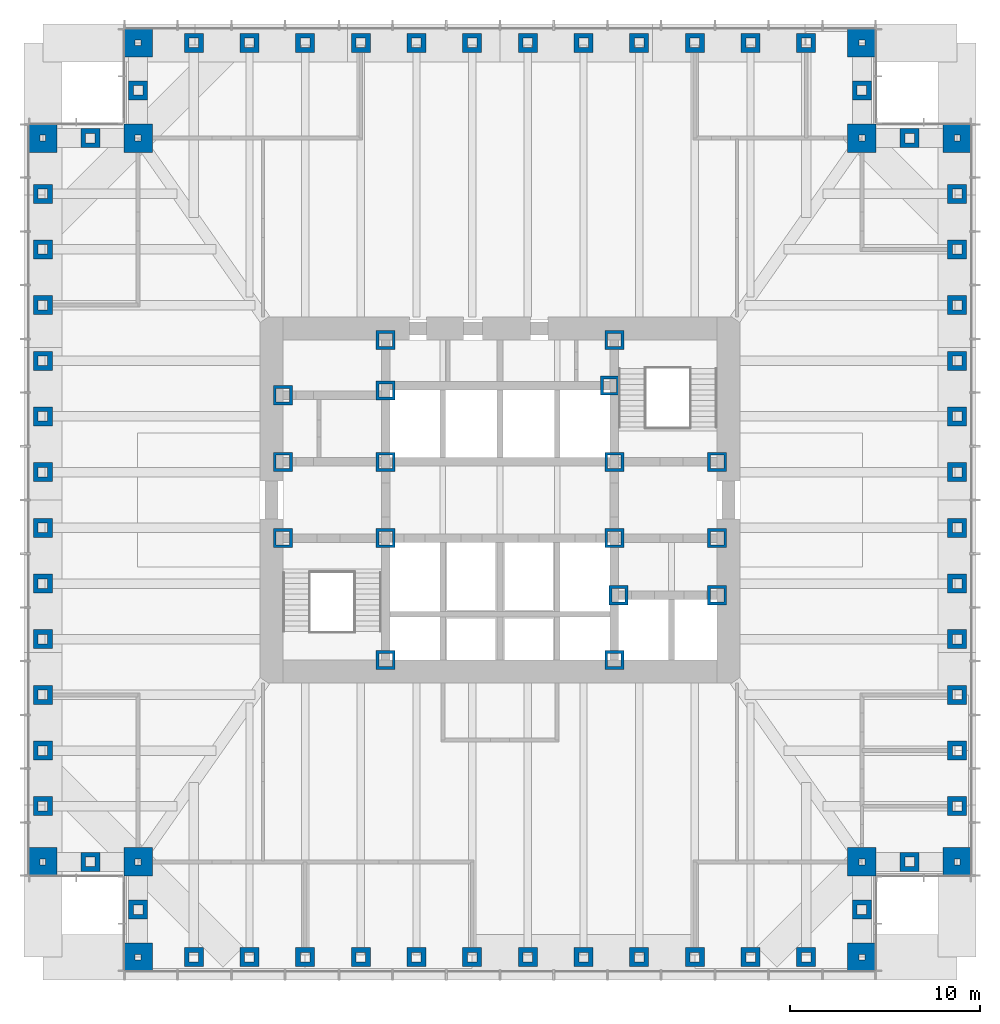
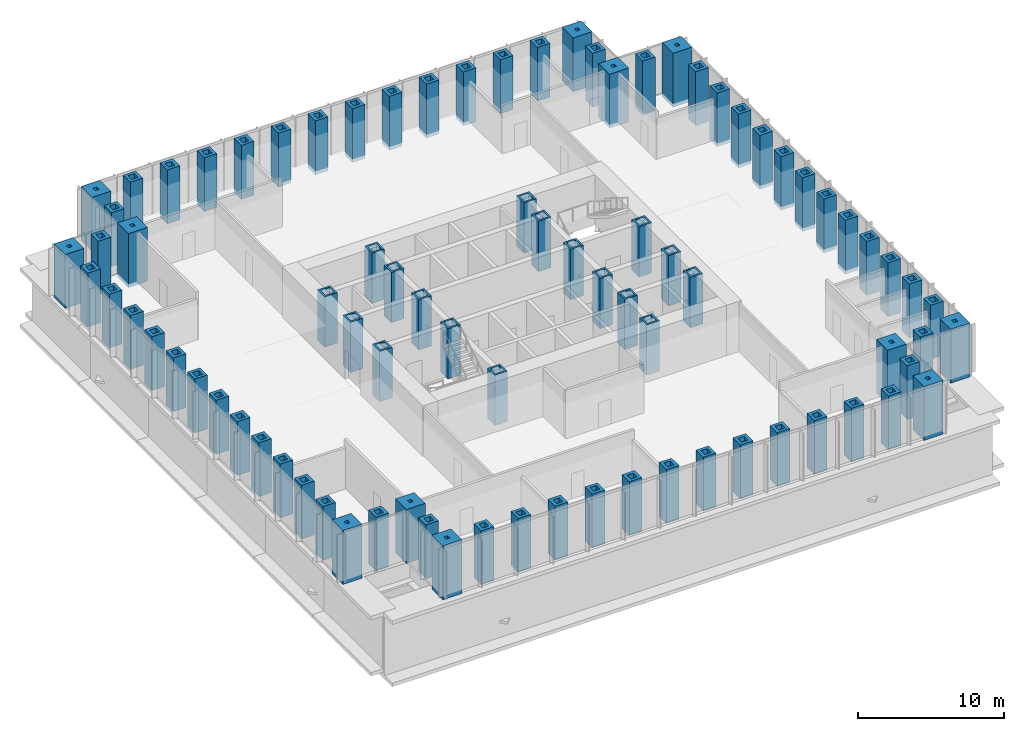
# One storey, part 1 of 16: 85 columns.
"""IFC4 building model written with IfcOpenShell, lengths in metres."""

import ifcopenshell
import ifcopenshell.guid

model = None  # the IFC model being written
_history = None  # IfcOwnerHistory: only IFC2X3 demands one
_inside = {}  # id of a spatial element -> (the spatial element, [elements in it])
_under = {}  # id of a project, library or spatial element -> (it, [spatial elements below it])
_declared = {}  # id of a project -> (the project, [libraries it declares])
_typed = {}  # id of a type object -> (the type object, [elements of that type])
_made_of = {}  # id of a material, layer set ... -> (it, [elements and type objects made of it])


def new_model(schema):
    """Start an empty IFC model of exactly this schema.

    Asked for "IFC4X3", IfcOpenShell would pick the latest addendum, in which some entities
    have other attributes; the version numbers below select the first issue.
    IFC2X3 requires an IfcOwnerHistory on every rooted entity: one is made here for all.
    """
    global model, _history
    if schema == "IFC4X3":
        model = ifcopenshell.file(schema_version=(4, 3, 0, 0))
    else:
        model = ifcopenshell.file(schema=schema)
    _inside.clear()
    _under.clear()
    _declared.clear()
    _typed.clear()
    _made_of.clear()
    _history = None
    if model.schema == "IFC2X3":
        org = make("IfcOrganization", Name="unknown")
        user = make(
            "IfcPersonAndOrganization",
            ThePerson=make("IfcPerson", FamilyName="unknown"),
            TheOrganization=org,
        )
        app = make(
            "IfcApplication",
            ApplicationDeveloper=org,
            Version="unknown",
            ApplicationFullName="unknown",
            ApplicationIdentifier="unknown",
        )
        _history = make(
            "IfcOwnerHistory",
            OwningUser=user,
            OwningApplication=app,
            ChangeAction="ADDED",
            CreationDate=0,
        )
    return model


def make(cls, **values):
    """One entity of the class cls with the attributes given. An attribute that is None is left unset."""
    return model.create_entity(
        cls, **{name: value for name, value in values.items() if value is not None}
    )


def rooted(cls, **values):
    """An entity with a GlobalId (a new one), such as an element, a storey or a relation."""
    return make(cls, GlobalId=ifcopenshell.guid.new(), OwnerHistory=_history, **values)


def si_unit(unit_type, name, prefix=None):
    """IfcSIUnit, for example si_unit("LENGTHUNIT", "METRE", prefix="MILLI")."""
    return make("IfcSIUnit", UnitType=unit_type, Prefix=prefix, Name=name)


def assignment(units):
    """IfcUnitAssignment: the units of a project."""
    return None if units is None else make("IfcUnitAssignment", Units=units)


def point(xyz):
    """IfcCartesianPoint."""
    return None if xyz is None else make("IfcCartesianPoint", Coordinates=xyz)


def direction(xyz):
    """IfcDirection."""
    return None if xyz is None else make("IfcDirection", DirectionRatios=xyz)


def frame(location, z_axis=None, x_axis=None):
    """IfcAxis2Placement3D, a coordinate frame: its origin and axes. An axis left out is left unset."""
    return make(
        "IfcAxis2Placement3D",
        Location=point(location),
        Axis=direction(z_axis),
        RefDirection=direction(x_axis),
    )


def frame_2d(location, x_axis=None):
    """IfcAxis2Placement2D, a coordinate frame in the plane: its origin and x axis."""
    return make(
        "IfcAxis2Placement2D", Location=point(location), RefDirection=direction(x_axis)
    )


def origin():
    """The frame at (0, 0, 0) with its axes left unset."""
    return frame((0.0, 0.0, 0.0))


def origin_2d():
    """The frame at (0, 0) in the plane with its x axis left unset."""
    return frame_2d((0.0, 0.0))


def place(relative_to, where):
    """IfcLocalPlacement: puts the frame where relative to a parent placement (None: the world)."""
    return make(
        "IfcLocalPlacement", PlacementRelTo=relative_to, RelativePlacement=where
    )


def context(
    kind, dimensions, precision=None, world=None, true_north=None, identifier=None
):
    """IfcGeometricRepresentationContext, for example the 3D "Model" context."""
    return make(
        "IfcGeometricRepresentationContext",
        ContextIdentifier=identifier,
        ContextType=kind,
        CoordinateSpaceDimension=dimensions,
        Precision=precision,
        WorldCoordinateSystem=world,
        TrueNorth=true_north,
    )


def subcontext(parent, identifier, kind, view, scale=None):
    """IfcGeometricRepresentationSubContext, for example "Body" below "Model"."""
    return make(
        "IfcGeometricRepresentationSubContext",
        ContextIdentifier=identifier,
        ContextType=kind,
        ParentContext=parent,
        TargetScale=scale,
        TargetView=view,
    )


def project(units=None, contexts=None):
    """IfcProject with its units and contexts."""
    return rooted(
        "IfcProject",
        Name="project",
        RepresentationContexts=contexts,
        UnitsInContext=assignment(units),
    )


def spatial(cls, under=None, at=None, **own):
    """A site, building, storey or space (cls), placed at a placement, below another one or the project."""
    s = rooted(cls, ObjectPlacement=at, **own)
    if under is not None:
        _under.setdefault(under.id(), (under, []))[1].append(s)
    return s


def profile(cls, at=None, kind="AREA", **sizes):
    """A parametric profile (cls). Its sizes go by their IFC names, for example OverallWidth=200.0."""
    return make(cls, ProfileType=kind, Position=at, **sizes)


def hollow_rectangle(**sizes):
    """IfcRectangleHollowProfileDef."""
    return profile("IfcRectangleHollowProfileDef", **sizes)


def extrude(swept, where, along, depth):
    """IfcExtrudedAreaSolid: the profile swept, set in the frame where, extruded along a direction by depth."""
    return make(
        "IfcExtrudedAreaSolid",
        SweptArea=swept,
        Position=where,
        ExtrudedDirection=direction(along),
        Depth=depth,
    )


def shape(context_of_items, identifier, shape_type, items):
    """IfcShapeRepresentation: the items that make up one representation, for example the "Body"."""
    return make(
        "IfcShapeRepresentation",
        ContextOfItems=context_of_items,
        RepresentationIdentifier=identifier,
        RepresentationType=shape_type,
        Items=items,
    )


def material(Name=None, Category=None):
    """IfcMaterial."""
    return make("IfcMaterial", Name=Name, Category=Category)


def material_profile(
    of_material, cross_section, Name=None, Category=None, Priority=None
):
    """IfcMaterialProfile: a cross section and its material."""
    return make(
        "IfcMaterialProfile",
        Name=Name,
        Material=of_material,
        Profile=cross_section,
        Priority=Priority,
        Category=Category,
    )


def profile_set(profiles, Name=None, composite=None):
    """IfcMaterialProfileSet."""
    return make(
        "IfcMaterialProfileSet",
        Name=Name,
        MaterialProfiles=profiles,
        CompositeProfile=composite,
    )


def made_of(thing, what):
    """Note that an element or type object is made of a material, layer set ...; save() writes the relation."""
    if what is not None:
        _made_of.setdefault(what.id(), (what, []))[1].append(thing)
    return thing


def type_object(cls, material=None, **own):
    """A type object (cls), such as IfcWallType, which elements share."""
    return made_of(rooted(cls, **own), material)


def element(
    cls,
    number,
    at=None,
    inside=None,
    cuts=None,
    type_object=None,
    material=None,
    context=None,
    identifier="Body",
    shape_type=None,
    held_by="IfcProductDefinitionShape",
    body=None,
    shapes=None,
    **own,
):
    """One element of the class cls, such as IfcWall. Its Tag is "e" and its number.

    at: its placement. inside: the storey or other place that contains it. cuts: it is an
    opening in that element (IfcRelVoidsElement). A single representation is given by context,
    identifier, shape_type and body (its items); several are given by shapes. held_by: the class
    of the entity that holds the representations. save() writes the other relations.
    """
    e = rooted(cls, Tag="e%d" % number, ObjectPlacement=at, **own)
    if body is not None:
        shapes = [shape(context, identifier, shape_type, body)]
    if shapes is not None:
        e.Representation = make(held_by, Representations=shapes)
    if inside is not None:
        _inside.setdefault(inside.id(), (inside, []))[1].append(e)
    if cuts is not None:
        rooted(
            "IfcRelVoidsElement", RelatingBuildingElement=cuts, RelatedOpeningElement=e
        )
    if type_object is not None:
        _typed.setdefault(type_object.id(), (type_object, []))[1].append(e)
    return made_of(e, material)


def aggregate(whole, parts):
    """IfcRelAggregates: a whole, such as a stair, and the parts it consists of."""
    return rooted("IfcRelAggregates", RelatingObject=whole, RelatedObjects=parts)


def save(model, path):
    """Write the relations noted so far, then the file.

    IfcRelAggregates (storeys below a building ...), IfcRelContainedInSpatialStructure (elements
    in a storey), IfcRelDefinesByType, IfcRelAssociatesMaterial and IfcRelDeclares: one each for
    every whole, place, type object, material and project.
    """
    for whole, parts in _under.values():
        aggregate(whole, parts)
    for where, things in _inside.values():
        rooted(
            "IfcRelContainedInSpatialStructure",
            RelatedElements=things,
            RelatingStructure=where,
        )
    for kind, things in _typed.values():
        rooted("IfcRelDefinesByType", RelatedObjects=things, RelatingType=kind)
    for what, things in _made_of.values():
        rooted("IfcRelAssociatesMaterial", RelatedObjects=things, RelatingMaterial=what)
    for by, libraries in _declared.values():
        rooted("IfcRelDeclares", RelatingContext=by, RelatedDefinitions=libraries)
    model.write(path)


model = new_model("IFC4")

# Units and contexts
model_context = context("Model", 3, precision=1e-05, world=origin(), true_north=direction((0.0, 1.0)))
body_context = subcontext(model_context, "Body", "Model", "MODEL_VIEW")
ifc_project = project(units=[si_unit("LENGTHUNIT", "METRE"), si_unit("AREAUNIT", "SQUARE_METRE"), si_unit("VOLUMEUNIT", "CUBIC_METRE"), si_unit("PLANEANGLEUNIT", "RADIAN"), si_unit("MASSUNIT", "GRAM", prefix="KILO")], contexts=[model_context])

# Site, building, storey
site_placement = place(None, origin())
site = spatial("IfcSite", under=ifc_project, at=site_placement, CompositionType="ELEMENT")
building_placement = place(site_placement, origin())
building = spatial("IfcBuilding", under=site, at=building_placement, Name="Daluyong Arena Tower", CompositionType="ELEMENT")
storey_placement = place(building_placement, frame((0.0, 0.0, 34.89990234375)))
storey = spatial("IfcBuildingStorey", under=building, at=storey_placement, Name="L06", CompositionType="ELEMENT", Elevation=34.89990234375)

# Columns
ifc_material_1 = material(Name="Steel ASTM A588 Grade 50", Category="steel")
ifc_material_profile_1 = material_profile(ifc_material_1, hollow_rectangle(XDim=1.0, YDim=1.0, WallThickness=0.15, at=origin_2d()))
ifc_profile_set_1 = profile_set([ifc_material_profile_1], Name="Steel ASTM A588 Grade 50")
column_type_1 = type_object("IfcColumnType", Name="Core boundary column BX1000X150", PredefinedType="COLUMN", material=ifc_profile_set_1)
for number, where, z_axis, x_axis, name in (
    (1, (44.60009765625, 78.0, 0.0), (0.0, 0.0, 1.0), (1.0, 0.0, 0.0), "core boundary column BC1"),
    (2, (44.60009765625, 82.0, 0.0), (0.0, 0.0, 1.0), (1.0, 0.0, 0.0), "core boundary column BC1"),
    (3, (44.60009765625, 85.5, 0.0), (0.0, 0.0, 1.0), (1.0, 0.0, 0.0), "core boundary column BC1"),
    (4, (50.0, 71.60009765625, 0.0), (0.0, 0.0, 1.0), (1.0, 0.0, 0.0), "core boundary column BC1"),
    (5, (50.0, 78.0, 0.0), (0.0, 0.0, 1.0), (1.0, 0.0, 0.0), "core boundary column BC1"),
    (6, (50.0, 82.0, 0.0), (0.0, 0.0, 1.0), (1.0, 0.0, 0.0), "core boundary column BC1"),
    (7, (50.0, 85.75, 0.0), (0.0, 0.0, 1.0), (1.0, 0.0, 0.0), "core boundary column BC1"),
    (8, (50.0, 88.39990234375, 0.0), (0.0, 0.0, 1.0), (1.0, 0.0, 0.0), "core boundary column BC1"),
    (9, (61.77490234375, 86.0, 0.0), (0.0, 0.0, 1.0), (1.0, 0.0, 0.0), "core boundary column BC1"),
    (10, (62.0, 71.60009765625, 0.0), (0.0, 0.0, 1.0), (1.0, 0.0, 0.0), "core boundary column BC1"),
    (11, (62.0, 78.0, 0.0), (0.0, 0.0, 1.0), (1.0, 0.0, 0.0), "core boundary column BC1"),
    (12, (62.0, 82.0, 0.0), (0.0, 0.0, 1.0), (1.0, 0.0, 0.0), "core boundary column BC1"),
    (13, (62.0, 88.39990234375, 0.0), (0.0, 0.0, 1.0), (1.0, 0.0, 0.0), "core boundary column BC1"),
    (14, (62.22509765625, 75.0, 0.0), (0.0, 0.0, 1.0), (1.0, 0.0, 0.0), "core boundary column BC1"),
    (15, (67.39990234375, 75.0, 0.0), (0.0, 0.0, 1.0), (1.0, 0.0, 0.0), "core boundary column BC1"),
    (16, (67.39990234375, 78.0, 0.0), (0.0, 0.0, 1.0), (1.0, 0.0, 0.0), "core boundary column BC1"),
    (17, (67.39990234375, 82.0, 0.0), (0.0, 0.0, 1.0), (1.0, 0.0, 0.0), "core boundary column BC1"),
):
    element("IfcColumn", number, at=place(storey_placement, frame(where, z_axis=z_axis, x_axis=x_axis)), inside=storey, type_object=column_type_1, Name=name, PredefinedType="COLUMN", context=body_context, shape_type="SweptSolid", body=[
        extrude(hollow_rectangle(XDim=1.0, YDim=1.0, WallThickness=0.15, at=origin_2d()), origin(), (0.0, 0.0, 1.0), 4.2001953125),
    ])
ifc_material_2 = material(Name="Steel ASTM A36", Category="steel")
ifc_material_profile_2 = material_profile(ifc_material_2, hollow_rectangle(XDim=1.0, YDim=1.0, WallThickness=0.25, at=origin_2d()))
ifc_profile_set_2 = profile_set([ifc_material_profile_2], Name="Steel ASTM A36")
column_type_2 = type_object("IfcColumnType", Name="Tube column BX1000X250 BX1000X250", PredefinedType="COLUMN", material=ifc_profile_set_2)
for number, where, z_axis, x_axis, name in (
    (18, (39.923095703125, 56.0, -0.2998046875), (0.0, 0.0, 1.0), (1.0, 0.0, 0.0), "tube column bx1000x250 TC2"),
    (19, (42.84619140625, 56.0, -0.2998046875), (0.0, 0.0, 1.0), (1.0, 0.0, 0.0), "tube column bx1000x250 TC2"),
    (20, (45.769287109375, 56.0, -0.2998046875), (0.0, 0.0, 1.0), (1.0, 0.0, 0.0), "tube column bx1000x250 TC2"),
    (21, (48.6923828125, 56.0, -0.2998046875), (0.0, 0.0, 1.0), (1.0, 0.0, 0.0), "tube column bx1000x250 TC2"),
    (22, (51.615478515625, 56.0, -0.2998046875), (0.0, 0.0, 1.0), (1.0, 0.0, 0.0), "tube column bx1000x250 TC2"),
    (23, (54.53857421875, 56.0, -0.2998046875), (0.0, 0.0, 1.0), (1.0, 0.0, 0.0), "tube column bx1000x250 TC2"),
    (24, (57.46142578125, 56.0, -0.2998046875), (0.0, 0.0, 1.0), (1.0, 0.0, 0.0), "tube column bx1000x250 TC2"),
    (25, (60.384521484375, 56.0, -0.2998046875), (0.0, 0.0, 1.0), (1.0, 0.0, 0.0), "tube column bx1000x250 TC2"),
    (26, (63.3076171875, 56.0, -0.2998046875), (0.0, 0.0, 1.0), (1.0, 0.0, 0.0), "tube column bx1000x250 TC2"),
    (27, (66.230712890625, 56.0, -0.2998046875), (0.0, 0.0, 1.0), (1.0, 0.0, 0.0), "tube column bx1000x250 TC2"),
    (28, (69.15380859375, 56.0, -0.2998046875), (0.0, 0.0, 1.0), (1.0, 0.0, 0.0), "tube column bx1000x250 TC2"),
    (29, (72.076904296875, 56.0, -0.2998046875), (0.0, 0.0, 1.0), (1.0, 0.0, 0.0), "tube column bx1000x250 TC2"),
    (30, (75.0, 58.5, -0.2998046875), (0.0, 0.0, 1.0), (0.0, 1.0, 0.0), "tube column bx1000x250 TC2"),
    (31, (77.5, 61.0, -0.2998046875), (0.0, 0.0, 1.0), (1.0, 0.0, 0.0), "tube column bx1000x250 TC2"),
    (32, (80.0, 63.923095703125, -0.2998046875), (0.0, 0.0, 1.0), (0.0, 1.0, 0.0), "tube column bx1000x250 TC2"),
    (33, (80.0, 66.84619140625, -0.2998046875), (0.0, 0.0, 1.0), (0.0, 1.0, 0.0), "tube column bx1000x250 TC2"),
    (34, (80.0, 69.769287109375, -0.2998046875), (0.0, 0.0, 1.0), (0.0, 1.0, 0.0), "tube column bx1000x250 TC2"),
    (35, (80.0, 72.6923828125, -0.2998046875), (0.0, 0.0, 1.0), (0.0, 1.0, 0.0), "tube column bx1000x250 TC2"),
    (36, (80.0, 75.615478515625, -0.2998046875), (0.0, 0.0, 1.0), (0.0, 1.0, 0.0), "tube column bx1000x250 TC2"),
    (37, (80.0, 78.53857421875, -0.2998046875), (0.0, 0.0, 1.0), (0.0, 1.0, 0.0), "tube column bx1000x250 TC2"),
    (38, (80.0, 81.46142578125, -0.2998046875), (0.0, 0.0, 1.0), (0.0, 1.0, 0.0), "tube column bx1000x250 TC2"),
    (39, (80.0, 84.384521484375, -0.2998046875), (0.0, 0.0, 1.0), (0.0, 1.0, 0.0), "tube column bx1000x250 TC2"),
    (40, (80.0, 87.3076171875, -0.2998046875), (0.0, 0.0, 1.0), (0.0, 1.0, 0.0), "tube column bx1000x250 TC2"),
    (41, (80.0, 90.230712890625, -0.2998046875), (0.0, 0.0, 1.0), (0.0, 1.0, 0.0), "tube column bx1000x250 TC2"),
    (42, (80.0, 93.15380859375, -0.2998046875), (0.0, 0.0, 1.0), (0.0, 1.0, 0.0), "tube column bx1000x250 TC2"),
    (43, (80.0, 96.076904296875, -0.2998046875), (0.0, 0.0, 1.0), (0.0, 1.0, 0.0), "tube column bx1000x250 TC2"),
    (44, (77.5, 99.0, -0.2998046875), (0.0, 0.0, 1.0), (1.0, 0.0, 0.0), "tube column bx1000x250 TC2"),
    (45, (75.0, 101.5, -0.2998046875), (0.0, 0.0, 1.0), (0.0, 1.0, 0.0), "tube column bx1000x250 TC2"),
    (46, (72.076904296875, 104.0, -0.2998046875), (0.0, 0.0, 1.0), (1.0, 0.0, 0.0), "tube column bx1000x250 TC2"),
    (47, (69.15380859375, 104.0, -0.2998046875), (0.0, 0.0, 1.0), (1.0, 0.0, 0.0), "tube column bx1000x250 TC2"),
    (48, (66.230712890625, 104.0, -0.2998046875), (0.0, 0.0, 1.0), (1.0, 0.0, 0.0), "tube column bx1000x250 TC2"),
    (49, (63.3076171875, 104.0, -0.2998046875), (0.0, 0.0, 1.0), (1.0, 0.0, 0.0), "tube column bx1000x250 TC2"),
    (50, (60.384521484375, 104.0, -0.2998046875), (0.0, 0.0, 1.0), (1.0, 0.0, 0.0), "tube column bx1000x250 TC2"),
    (51, (57.46142578125, 104.0, -0.2998046875), (0.0, 0.0, 1.0), (1.0, 0.0, 0.0), "tube column bx1000x250 TC2"),
    (52, (54.53857421875, 104.0, -0.2998046875), (0.0, 0.0, 1.0), (1.0, 0.0, 0.0), "tube column bx1000x250 TC2"),
    (53, (51.615478515625, 104.0, -0.2998046875), (0.0, 0.0, 1.0), (1.0, 0.0, 0.0), "tube column bx1000x250 TC2"),
    (54, (48.6923828125, 104.0, -0.2998046875), (0.0, 0.0, 1.0), (1.0, 0.0, 0.0), "tube column bx1000x250 TC2"),
    (55, (45.769287109375, 104.0, -0.2998046875), (0.0, 0.0, 1.0), (1.0, 0.0, 0.0), "tube column bx1000x250 TC2"),
    (56, (42.84619140625, 104.0, -0.2998046875), (0.0, 0.0, 1.0), (1.0, 0.0, 0.0), "tube column bx1000x250 TC2"),
    (57, (39.923095703125, 104.0, -0.2998046875), (0.0, 0.0, 1.0), (1.0, 0.0, 0.0), "tube column bx1000x250 TC2"),
    (58, (37.0, 101.5, -0.2998046875), (0.0, 0.0, 1.0), (0.0, 1.0, 0.0), "tube column bx1000x250 TC2"),
    (59, (34.5, 99.0, -0.2998046875), (0.0, 0.0, 1.0), (1.0, 0.0, 0.0), "tube column bx1000x250 TC2"),
    (60, (32.0, 96.076904296875, -0.2998046875), (0.0, 0.0, 1.0), (0.0, 1.0, 0.0), "tube column bx1000x250 TC2"),
    (61, (32.0, 93.15380859375, -0.2998046875), (0.0, 0.0, 1.0), (0.0, 1.0, 0.0), "tube column bx1000x250 TC2"),
    (62, (32.0, 90.230712890625, -0.2998046875), (0.0, 0.0, 1.0), (0.0, 1.0, 0.0), "tube column bx1000x250 TC2"),
    (63, (32.0, 87.3076171875, -0.2998046875), (0.0, 0.0, 1.0), (0.0, 1.0, 0.0), "tube column bx1000x250 TC2"),
    (64, (32.0, 84.384521484375, -0.2998046875), (0.0, 0.0, 1.0), (0.0, 1.0, 0.0), "tube column bx1000x250 TC2"),
    (65, (32.0, 81.46142578125, -0.2998046875), (0.0, 0.0, 1.0), (0.0, 1.0, 0.0), "tube column bx1000x250 TC2"),
    (66, (32.0, 78.53857421875, -0.2998046875), (0.0, 0.0, 1.0), (0.0, 1.0, 0.0), "tube column bx1000x250 TC2"),
    (67, (32.0, 75.615478515625, -0.2998046875), (0.0, 0.0, 1.0), (0.0, 1.0, 0.0), "tube column bx1000x250 TC2"),
    (68, (32.0, 72.6923828125, -0.2998046875), (0.0, 0.0, 1.0), (0.0, 1.0, 0.0), "tube column bx1000x250 TC2"),
    (69, (32.0, 69.769287109375, -0.2998046875), (0.0, 0.0, 1.0), (0.0, 1.0, 0.0), "tube column bx1000x250 TC2"),
    (70, (32.0, 66.84619140625, -0.2998046875), (0.0, 0.0, 1.0), (0.0, 1.0, 0.0), "tube column bx1000x250 TC2"),
    (71, (32.0, 63.923095703125, -0.2998046875), (0.0, 0.0, 1.0), (0.0, 1.0, 0.0), "tube column bx1000x250 TC2"),
    (72, (34.5, 61.0, -0.2998046875), (0.0, 0.0, 1.0), (1.0, 0.0, 0.0), "tube column bx1000x250 TC2"),
    (73, (37.0, 58.5, -0.2998046875), (0.0, 0.0, 1.0), (0.0, 1.0, 0.0), "tube column bx1000x250 TC2"),
):
    element("IfcColumn", number, at=place(storey_placement, frame(where, z_axis=z_axis, x_axis=x_axis)), inside=storey, type_object=column_type_2, Name=name, PredefinedType="COLUMN", context=body_context, shape_type="SweptSolid", body=[
        extrude(hollow_rectangle(XDim=1.0, YDim=1.0, WallThickness=0.25, at=origin_2d()), origin(), (0.0, 0.0, 1.0), 4.5),
    ])
ifc_material_3 = material(Name="Steel ASTM A36", Category="steel")
ifc_material_profile_3 = material_profile(ifc_material_3, hollow_rectangle(XDim=1.5, YDim=1.5, WallThickness=0.6, at=origin_2d()))
ifc_profile_set_3 = profile_set([ifc_material_profile_3], Name="Steel ASTM A36")
column_type_3 = type_object("IfcColumnType", Name="Tube column BX1500X600 BX1500X600", PredefinedType="COLUMN", material=ifc_profile_set_3)
for number, where, z_axis, x_axis, name in (
    (74, (37.0, 56.0, -0.2998046875), (0.0, 0.0, 1.0), (1.0, 0.0, 0.0), "tube column bx1500x600 TC1"),
    (75, (75.0, 56.0, -0.2998046875), (0.0, 0.0, 1.0), (0.0, 1.0, 0.0), "tube column bx1500x600 TC1"),
    (76, (75.0, 61.0, -0.2998046875), (0.0, 0.0, 1.0), (1.0, 0.0, 0.0), "tube column bx1500x600 TC1"),
    (77, (80.0, 61.0, -0.2998046875), (0.0, 0.0, 1.0), (0.0, 1.0, 0.0), "tube column bx1500x600 TC1"),
    (78, (80.0, 99.0, -0.2998046875), (0.0, 0.0, 1.0), (1.0, 0.0, 0.0), "tube column bx1500x600 TC1"),
    (79, (75.0, 99.0, -0.2998046875), (0.0, 0.0, 1.0), (0.0, 1.0, 0.0), "tube column bx1500x600 TC1"),
    (80, (75.0, 104.0, -0.2998046875), (0.0, 0.0, 1.0), (1.0, 0.0, 0.0), "tube column bx1500x600 TC1"),
    (81, (37.0, 104.0, -0.2998046875), (0.0, 0.0, 1.0), (0.0, 1.0, 0.0), "tube column bx1500x600 TC1"),
    (82, (37.0, 99.0, -0.2998046875), (0.0, 0.0, 1.0), (1.0, 0.0, 0.0), "tube column bx1500x600 TC1"),
    (83, (32.0, 99.0, -0.2998046875), (0.0, 0.0, 1.0), (0.0, 1.0, 0.0), "tube column bx1500x600 TC1"),
    (84, (32.0, 61.0, -0.2998046875), (0.0, 0.0, 1.0), (1.0, 0.0, 0.0), "tube column bx1500x600 TC1"),
    (85, (37.0, 61.0, -0.2998046875), (0.0, 0.0, 1.0), (0.0, 1.0, 0.0), "tube column bx1500x600 TC1"),
):
    element("IfcColumn", number, at=place(storey_placement, frame(where, z_axis=z_axis, x_axis=x_axis)), inside=storey, type_object=column_type_3, Name=name, PredefinedType="COLUMN", context=body_context, shape_type="SweptSolid", body=[
        extrude(hollow_rectangle(XDim=1.5, YDim=1.5, WallThickness=0.6, at=origin_2d()), origin(), (0.0, 0.0, 1.0), 4.5),
    ])

save(model, "model.ifc")
